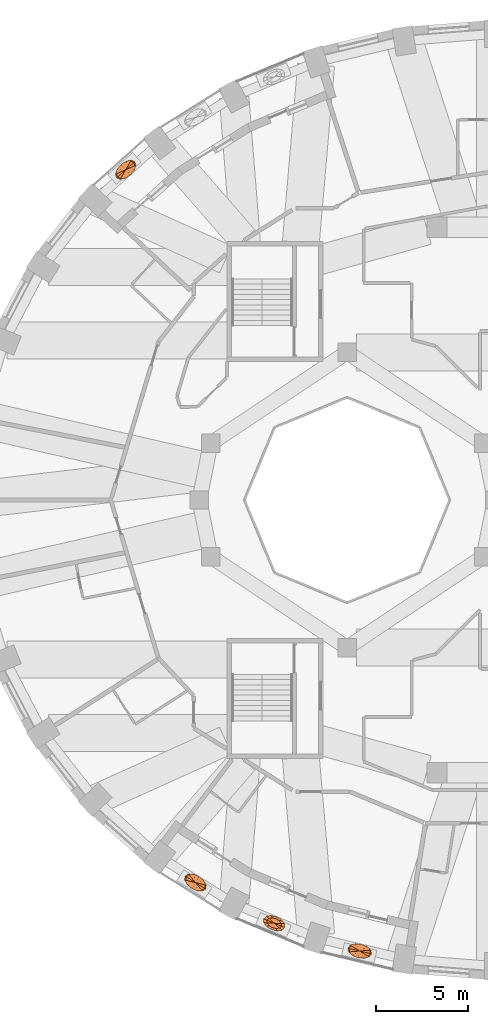
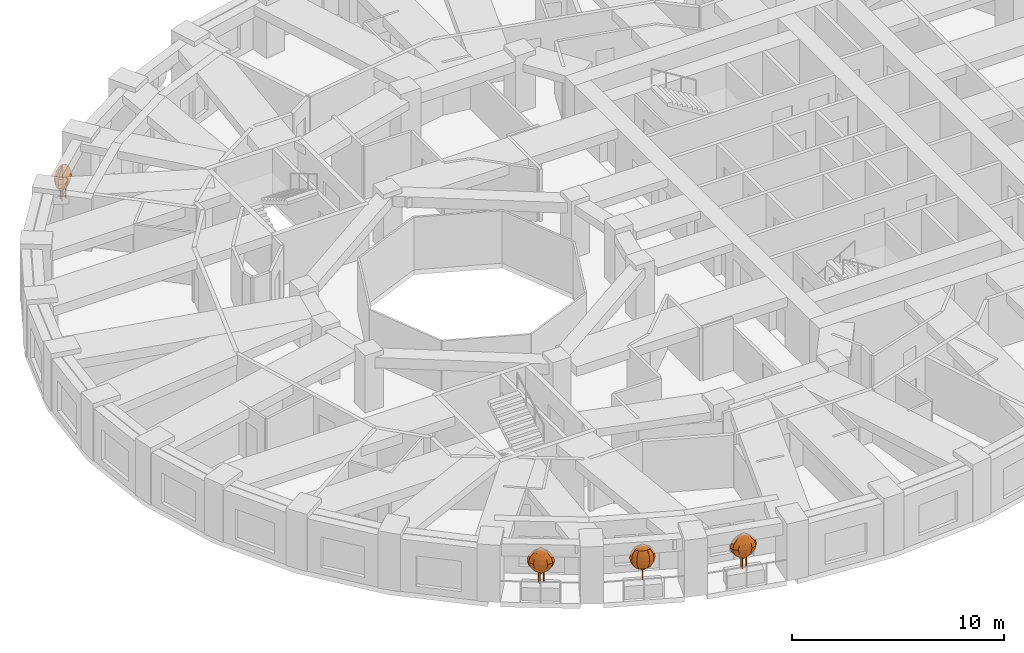
# One storey, part 12 of 13: 4 geographic elements.
"""IFC4 building model written with IfcOpenShell, lengths in metres."""

from ifc_helpers import new_model, si_unit, direction, frame, origin, place, context, subcontext, project, spatial, faceted_brep, material, constituent, constituent_set, type_object, element, save


model = new_model("IFC4")

# Units and contexts
model_context = context("Model", 3, precision=1e-05, world=origin(), true_north=direction((0.0, 1.0)))
body_context = subcontext(model_context, "Body", "Model", "MODEL_VIEW")
ifc_project = project(units=[si_unit("LENGTHUNIT", "METRE"), si_unit("AREAUNIT", "SQUARE_METRE"), si_unit("VOLUMEUNIT", "CUBIC_METRE"), si_unit("PLANEANGLEUNIT", "RADIAN"), si_unit("MASSUNIT", "GRAM", prefix="KILO")], contexts=[model_context])

# Site, building, storey
site_placement = place(None, origin())
site = spatial("IfcSite", under=ifc_project, at=site_placement, CompositionType="ELEMENT")
building_placement = place(site_placement, origin())
building = spatial("IfcBuilding", under=site, at=building_placement, Name="Taillehof Tower", CompositionType="ELEMENT")
storey_placement = place(building_placement, frame((0.0, 0.0, 48.10009765625)))
storey = spatial("IfcBuildingStorey", under=building, at=storey_placement, Name="L12", CompositionType="ELEMENT", Elevation=48.10009765625)

# Geographic elements
ifc_material_1 = material(Name="Tree bark", Category="timber")
ifc_constituent_1 = constituent(ifc_material_1, Name="Trunk", Category="timber")
ifc_material_2 = material(Name="Tree foliage")
ifc_constituent_2 = constituent(ifc_material_2, Name="Crown")
ifc_constituent_set_1 = constituent_set(constituents=[ifc_constituent_1, ifc_constituent_2], Name="Tree TR1 Columnar hornbeam")
geographic_element_type_1 = type_object("IfcGeographicElementType", Name="Tree TR1 Columnar hornbeam", PredefinedType="USERDEFINED", material=ifc_constituent_set_1)
geographic_element_1_placement = place(storey_placement, frame((-11.947509765625, -22.923583984375, 0.75)))
element("IfcGeographicElement", 1, at=geographic_element_1_placement, inside=storey, type_object=geographic_element_type_1, Name="Tree TR1 Columnar hornbeam", ObjectType="TREE", PredefinedType="USERDEFINED", context=body_context, shape_type="Brep", body=[
    faceted_brep([(0.030029296875, 0.0, 0.0), (0.021240234375, 0.021240234375, 0.0), (0.021240234375, 0.021240234375, 1.092529296875), (0.030029296875, 0.0, 1.092529296875), (0.0, 0.030029296875, 0.0), (0.0, 0.030029296875, 1.092529296875), (-0.021240234375, 0.021240234375, 0.0), (-0.021240234375, 0.021240234375, 1.092529296875), (-0.030029296875, 0.0, 0.0), (-0.030029296875, 0.0, 1.092529296875), (-0.021240234375, -0.021240234375, 0.0), (-0.021240234375, -0.021240234375, 1.092529296875), (0.0, -0.030029296875, 0.0), (0.0, -0.030029296875, 1.092529296875), (0.021240234375, -0.021240234375, 0.0), (0.021240234375, -0.021240234375, 1.092529296875)], [[[0, 1, 2, 3]], [[1, 4, 5, 2]], [[4, 6, 7, 5]], [[6, 8, 9, 7]], [[8, 10, 11, 9]], [[10, 12, 13, 11]], [[12, 14, 15, 13]], [[14, 0, 3, 15]], [[14, 12, 10, 8, 6, 4, 1, 0]], [[3, 2, 5, 7, 9, 11, 13, 15]]]),
    faceted_brep([(0.0, 0.0, 0.550048828125), (0.386962890625, -0.020751953125, 0.808349609375), (0.389404296875, -0.162353515625, 0.808349609375), (0.28125, 0.126220703125, 0.808349609375), (0.099853515625, 0.239501953125, 0.808349609375), (-0.108154296875, 0.28857421875, 0.808349609375), (-0.287109375, 0.26025390625, 0.808349609375), (-0.389404296875, 0.162353515625, 0.808349609375), (-0.386962890625, 0.020751953125, 0.808349609375), (-0.28125, -0.126220703125, 0.808349609375), (-0.099853515625, -0.239501953125, 0.808349609375), (0.108154296875, -0.28857421875, 0.808349609375), (0.287109375, -0.26025390625, 0.808349609375), (0.523681640625, -0.028076171875, 1.066650390625), (0.526611328125, -0.219482421875, 1.066650390625), (0.38037109375, 0.1708984375, 1.066650390625), (0.135009765625, 0.323974609375, 1.066650390625), (-0.146240234375, 0.390380859375, 1.066650390625), (-0.388427734375, 0.35205078125, 1.066650390625), (-0.526611328125, 0.219482421875, 1.066650390625), (-0.523681640625, 0.028076171875, 1.066650390625), (-0.38037109375, -0.1708984375, 1.066650390625), (-0.135009765625, -0.323974609375, 1.066650390625), (0.146240234375, -0.390380859375, 1.066650390625), (0.388427734375, -0.35205078125, 1.066650390625), (0.566650390625, -0.0302734375, 1.324951171875), (0.570068359375, -0.237548828125, 1.324951171875), (0.41162109375, 0.18505859375, 1.324951171875), (0.146240234375, 0.350830078125, 1.324951171875), (-0.158447265625, 0.422607421875, 1.324951171875), (-0.42041015625, 0.381103515625, 1.324951171875), (-0.570068359375, 0.237548828125, 1.324951171875), (-0.566650390625, 0.0302734375, 1.324951171875), (-0.41162109375, -0.18505859375, 1.324951171875), (-0.146240234375, -0.350830078125, 1.324951171875), (0.158447265625, -0.422607421875, 1.324951171875), (0.42041015625, -0.381103515625, 1.324951171875), (0.523681640625, -0.028076171875, 1.583251953125), (0.526611328125, -0.219482421875, 1.583251953125), (0.38037109375, 0.1708984375, 1.583251953125), (0.135009765625, 0.323974609375, 1.583251953125), (-0.146240234375, 0.390380859375, 1.583251953125), (-0.388427734375, 0.35205078125, 1.583251953125), (-0.526611328125, 0.219482421875, 1.583251953125), (-0.523681640625, 0.028076171875, 1.583251953125), (-0.38037109375, -0.1708984375, 1.583251953125), (-0.135009765625, -0.323974609375, 1.583251953125), (0.146240234375, -0.390380859375, 1.583251953125), (0.388427734375, -0.35205078125, 1.583251953125), (0.386962890625, -0.020751953125, 1.841552734375), (0.389404296875, -0.162353515625, 1.841552734375), (0.28125, 0.126220703125, 1.841552734375), (0.099853515625, 0.239501953125, 1.841552734375), (-0.108154296875, 0.28857421875, 1.841552734375), (-0.287109375, 0.26025390625, 1.841552734375), (-0.389404296875, 0.162353515625, 1.841552734375), (-0.386962890625, 0.020751953125, 1.841552734375), (-0.28125, -0.126220703125, 1.841552734375), (-0.099853515625, -0.239501953125, 1.841552734375), (0.108154296875, -0.28857421875, 1.841552734375), (0.287109375, -0.26025390625, 1.841552734375), (0.0, 0.0, 2.10009765625)], [[[0, 1, 2]], [[0, 3, 1]], [[0, 4, 3]], [[0, 5, 4]], [[0, 6, 5]], [[0, 7, 6]], [[0, 8, 7]], [[0, 9, 8]], [[0, 10, 9]], [[0, 11, 10]], [[0, 12, 11]], [[0, 2, 12]], [[2, 1, 13, 14]], [[1, 3, 15, 13]], [[3, 4, 16, 15]], [[4, 5, 17, 16]], [[5, 6, 18, 17]], [[6, 7, 19, 18]], [[7, 8, 20, 19]], [[8, 9, 21, 20]], [[9, 10, 22, 21]], [[10, 11, 23, 22]], [[11, 12, 24, 23]], [[12, 2, 14, 24]], [[14, 13, 25, 26]], [[13, 15, 27, 25]], [[15, 16, 28, 27]], [[16, 17, 29, 28]], [[17, 18, 30, 29]], [[18, 19, 31, 30]], [[19, 20, 32, 31]], [[20, 21, 33, 32]], [[21, 22, 34, 33]], [[22, 23, 35, 34]], [[23, 24, 36, 35]], [[24, 14, 26, 36]], [[26, 25, 37, 38]], [[25, 27, 39, 37]], [[27, 28, 40, 39]], [[28, 29, 41, 40]], [[29, 30, 42, 41]], [[30, 31, 43, 42]], [[31, 32, 44, 43]], [[32, 33, 45, 44]], [[33, 34, 46, 45]], [[34, 35, 47, 46]], [[35, 36, 48, 47]], [[36, 26, 38, 48]], [[38, 37, 49, 50]], [[37, 39, 51, 49]], [[39, 40, 52, 51]], [[40, 41, 53, 52]], [[41, 42, 54, 53]], [[42, 43, 55, 54]], [[43, 44, 56, 55]], [[44, 45, 57, 56]], [[45, 46, 58, 57]], [[46, 47, 59, 58]], [[47, 48, 60, 59]], [[48, 38, 50, 60]], [[50, 49, 61]], [[49, 51, 61]], [[51, 52, 61]], [[52, 53, 61]], [[53, 54, 61]], [[54, 55, 61]], [[55, 56, 61]], [[56, 57, 61]], [[57, 58, 61]], [[58, 59, 61]], [[59, 60, 61]], [[60, 50, 61]]]),
])
ifc_material_3 = material(Name="Tree bark", Category="timber")
ifc_constituent_3 = constituent(ifc_material_3, Name="Trunk", Category="timber")
ifc_material_4 = material(Name="Tree foliage")
ifc_constituent_4 = constituent(ifc_material_4, Name="Crown")
ifc_constituent_set_2 = constituent_set(constituents=[ifc_constituent_3, ifc_constituent_4], Name="Tree TR3 Multi-stem serviceberry")
geographic_element_type_2 = type_object("IfcGeographicElementType", Name="Tree TR3 Multi-stem serviceberry", PredefinedType="USERDEFINED", material=ifc_constituent_set_2)
geographic_element_2_placement = place(storey_placement, frame((-16.2158203125, -20.720703125, 0.75)))
element("IfcGeographicElement", 2, at=geographic_element_2_placement, inside=storey, type_object=geographic_element_type_2, Name="Tree TR3 Multi-stem serviceberry", ObjectType="TREE", PredefinedType="USERDEFINED", context=body_context, shape_type="Brep", body=[
    faceted_brep([(0.195068359375, 0.0, 0.0), (0.186767578125, 0.0205078125, 0.0), (0.186767578125, 0.0205078125, 1.04248046875), (0.195068359375, 0.0, 1.04248046875), (0.166259765625, 0.02880859375, 0.0), (0.166259765625, 0.02880859375, 1.04248046875), (0.145751953125, 0.0205078125, 0.0), (0.145751953125, 0.0205078125, 1.04248046875), (0.137451171875, 0.0, 0.0), (0.137451171875, 0.0, 1.04248046875), (0.145751953125, -0.0205078125, 0.0), (0.145751953125, -0.0205078125, 1.04248046875), (0.166259765625, -0.02880859375, 0.0), (0.166259765625, -0.02880859375, 1.04248046875), (0.186767578125, -0.0205078125, 0.0), (0.186767578125, -0.0205078125, 1.04248046875)], [[[0, 1, 2, 3]], [[1, 4, 5, 2]], [[4, 6, 7, 5]], [[6, 8, 9, 7]], [[8, 10, 11, 9]], [[10, 12, 13, 11]], [[12, 14, 15, 13]], [[14, 0, 3, 15]], [[14, 12, 10, 8, 6, 4, 1, 0]], [[3, 2, 5, 7, 9, 11, 13, 15]]]),
    faceted_brep([(-0.05419921875, 0.082275390625, 0.0), (-0.062744140625, 0.102783203125, 0.0), (-0.062744140625, 0.102783203125, 1.04248046875), (-0.05419921875, 0.082275390625, 1.04248046875), (-0.0830078125, 0.111083984375, 0.0), (-0.0830078125, 0.111083984375, 1.04248046875), (-0.103515625, 0.102783203125, 0.0), (-0.103515625, 0.102783203125, 1.04248046875), (-0.112060546875, 0.082275390625, 0.0), (-0.112060546875, 0.082275390625, 1.04248046875), (-0.103515625, 0.061767578125, 0.0), (-0.103515625, 0.061767578125, 1.04248046875), (-0.0830078125, 0.053466796875, 0.0), (-0.0830078125, 0.053466796875, 1.04248046875), (-0.062744140625, 0.061767578125, 0.0), (-0.062744140625, 0.061767578125, 1.04248046875)], [[[0, 1, 2, 3]], [[1, 4, 5, 2]], [[4, 6, 7, 5]], [[6, 8, 9, 7]], [[8, 10, 11, 9]], [[10, 12, 13, 11]], [[12, 14, 15, 13]], [[14, 0, 3, 15]], [[14, 12, 10, 8, 6, 4, 1, 0]], [[3, 2, 5, 7, 9, 11, 13, 15]]]),
    faceted_brep([(-0.05419921875, -0.082275390625, 0.0), (-0.062744140625, -0.061767578125, 0.0), (-0.062744140625, -0.061767578125, 1.04248046875), (-0.05419921875, -0.082275390625, 1.04248046875), (-0.0830078125, -0.053466796875, 0.0), (-0.0830078125, -0.053466796875, 1.04248046875), (-0.103515625, -0.061767578125, 0.0), (-0.103515625, -0.061767578125, 1.04248046875), (-0.112060546875, -0.082275390625, 0.0), (-0.112060546875, -0.082275390625, 1.04248046875), (-0.103515625, -0.102783203125, 0.0), (-0.103515625, -0.102783203125, 1.04248046875), (-0.0830078125, -0.111083984375, 0.0), (-0.0830078125, -0.111083984375, 1.04248046875), (-0.062744140625, -0.102783203125, 0.0), (-0.062744140625, -0.102783203125, 1.04248046875)], [[[0, 1, 2, 3]], [[1, 4, 5, 2]], [[4, 6, 7, 5]], [[6, 8, 9, 7]], [[8, 10, 11, 9]], [[10, 12, 13, 11]], [[12, 14, 15, 13]], [[14, 0, 3, 15]], [[14, 12, 10, 8, 6, 4, 1, 0]], [[3, 2, 5, 7, 9, 11, 13, 15]]]),
    faceted_brep([(0.0, 0.0, 0.5), (0.33837890625, -0.0830078125, 0.75830078125), (0.32373046875, -0.20263671875, 0.75830078125), (0.26220703125, 0.058837890625, 0.75830078125), (0.11572265625, 0.18505859375, 0.75830078125), (-0.0615234375, 0.261474609375, 0.75830078125), (-0.222412109375, 0.26806640625, 0.75830078125), (-0.32373046875, 0.20263671875, 0.75830078125), (-0.33837890625, 0.0830078125, 0.75830078125), (-0.26220703125, -0.058837890625, 0.75830078125), (-0.11572265625, -0.18505859375, 0.75830078125), (0.0615234375, -0.261474609375, 0.75830078125), (0.222412109375, -0.26806640625, 0.75830078125), (0.52490234375, -0.12890625, 1.0166015625), (0.50244140625, -0.314453125, 1.0166015625), (0.40673828125, 0.09130859375, 1.0166015625), (0.1796875, 0.287109375, 1.0166015625), (-0.095703125, 0.40576171875, 1.0166015625), (-0.34521484375, 0.415771484375, 1.0166015625), (-0.50244140625, 0.314453125, 1.0166015625), (-0.52490234375, 0.12890625, 1.0166015625), (-0.40673828125, -0.09130859375, 1.0166015625), (-0.1796875, -0.287109375, 1.0166015625), (0.095703125, -0.40576171875, 1.0166015625), (0.34521484375, -0.415771484375, 1.0166015625), (0.5888671875, -0.14453125, 1.27490234375), (0.563720703125, -0.352783203125, 1.27490234375), (0.45654296875, 0.1025390625, 1.27490234375), (0.20166015625, 0.322021484375, 1.27490234375), (-0.107177734375, 0.455322265625, 1.27490234375), (-0.387451171875, 0.466552734375, 1.27490234375), (-0.563720703125, 0.352783203125, 1.27490234375), (-0.5888671875, 0.14453125, 1.27490234375), (-0.45654296875, -0.1025390625, 1.27490234375), (-0.20166015625, -0.322021484375, 1.27490234375), (0.107177734375, -0.455322265625, 1.27490234375), (0.387451171875, -0.466552734375, 1.27490234375), (0.52490234375, -0.12890625, 1.533447265625), (0.50244140625, -0.314453125, 1.533447265625), (0.40673828125, 0.09130859375, 1.533447265625), (0.1796875, 0.287109375, 1.533447265625), (-0.095703125, 0.40576171875, 1.533447265625), (-0.34521484375, 0.415771484375, 1.533447265625), (-0.50244140625, 0.314453125, 1.533447265625), (-0.52490234375, 0.12890625, 1.533447265625), (-0.40673828125, -0.09130859375, 1.533447265625), (-0.1796875, -0.287109375, 1.533447265625), (0.095703125, -0.40576171875, 1.533447265625), (0.34521484375, -0.415771484375, 1.533447265625), (0.33837890625, -0.0830078125, 1.791748046875), (0.32373046875, -0.20263671875, 1.791748046875), (0.26220703125, 0.058837890625, 1.791748046875), (0.11572265625, 0.18505859375, 1.791748046875), (-0.0615234375, 0.261474609375, 1.791748046875), (-0.222412109375, 0.26806640625, 1.791748046875), (-0.32373046875, 0.20263671875, 1.791748046875), (-0.33837890625, 0.0830078125, 1.791748046875), (-0.26220703125, -0.058837890625, 1.791748046875), (-0.11572265625, -0.18505859375, 1.791748046875), (0.0615234375, -0.261474609375, 1.791748046875), (0.222412109375, -0.26806640625, 1.791748046875), (0.0, 0.0, 2.050048828125)], [[[0, 1, 2]], [[0, 3, 1]], [[0, 4, 3]], [[0, 5, 4]], [[0, 6, 5]], [[0, 7, 6]], [[0, 8, 7]], [[0, 9, 8]], [[0, 10, 9]], [[0, 11, 10]], [[0, 12, 11]], [[0, 2, 12]], [[2, 1, 13, 14]], [[1, 3, 15, 13]], [[3, 4, 16, 15]], [[4, 5, 17, 16]], [[5, 6, 18, 17]], [[6, 7, 19, 18]], [[7, 8, 20, 19]], [[8, 9, 21, 20]], [[9, 10, 22, 21]], [[10, 11, 23, 22]], [[11, 12, 24, 23]], [[12, 2, 14, 24]], [[14, 13, 25, 26]], [[13, 15, 27, 25]], [[15, 16, 28, 27]], [[16, 17, 29, 28]], [[17, 18, 30, 29]], [[18, 19, 31, 30]], [[19, 20, 32, 31]], [[20, 21, 33, 32]], [[21, 22, 34, 33]], [[22, 23, 35, 34]], [[23, 24, 36, 35]], [[24, 14, 26, 36]], [[26, 25, 37, 38]], [[25, 27, 39, 37]], [[27, 28, 40, 39]], [[28, 29, 41, 40]], [[29, 30, 42, 41]], [[30, 31, 43, 42]], [[31, 32, 44, 43]], [[32, 33, 45, 44]], [[33, 34, 46, 45]], [[34, 35, 47, 46]], [[35, 36, 48, 47]], [[36, 26, 38, 48]], [[38, 37, 49, 50]], [[37, 39, 51, 49]], [[39, 40, 52, 51]], [[40, 41, 53, 52]], [[41, 42, 54, 53]], [[42, 43, 55, 54]], [[43, 44, 56, 55]], [[44, 45, 57, 56]], [[45, 46, 58, 57]], [[46, 47, 59, 58]], [[47, 48, 60, 59]], [[48, 38, 50, 60]], [[50, 49, 61]], [[49, 51, 61]], [[51, 52, 61]], [[52, 53, 61]], [[53, 54, 61]], [[54, 55, 61]], [[55, 56, 61]], [[56, 57, 61]], [[57, 58, 61]], [[58, 59, 61]], [[59, 60, 61]], [[60, 50, 61]]]),
])
geographic_element_3_placement = place(storey_placement, frame((-7.31640625, -24.430419921875, 0.75)))
element("IfcGeographicElement", 3, at=geographic_element_3_placement, inside=storey, type_object=geographic_element_type_2, Name="Tree TR3 Multi-stem serviceberry", ObjectType="TREE", PredefinedType="USERDEFINED", context=body_context, shape_type="Brep", body=[
    faceted_brep([(0.195068359375, 0.0, 0.0), (0.186767578125, 0.0205078125, 0.0), (0.186767578125, 0.0205078125, 1.04248046875), (0.195068359375, 0.0, 1.04248046875), (0.166259765625, 0.02880859375, 0.0), (0.166259765625, 0.02880859375, 1.04248046875), (0.145751953125, 0.0205078125, 0.0), (0.145751953125, 0.0205078125, 1.04248046875), (0.137451171875, 0.0, 0.0), (0.137451171875, 0.0, 1.04248046875), (0.145751953125, -0.0205078125, 0.0), (0.145751953125, -0.0205078125, 1.04248046875), (0.166259765625, -0.02880859375, 0.0), (0.166259765625, -0.02880859375, 1.04248046875), (0.186767578125, -0.0205078125, 0.0), (0.186767578125, -0.0205078125, 1.04248046875)], [[[0, 1, 2, 3]], [[1, 4, 5, 2]], [[4, 6, 7, 5]], [[6, 8, 9, 7]], [[8, 10, 11, 9]], [[10, 12, 13, 11]], [[12, 14, 15, 13]], [[14, 0, 3, 15]], [[14, 12, 10, 8, 6, 4, 1, 0]], [[3, 2, 5, 7, 9, 11, 13, 15]]]),
    faceted_brep([(-0.05419921875, 0.082275390625, 0.0), (-0.062744140625, 0.102783203125, 0.0), (-0.062744140625, 0.102783203125, 1.04248046875), (-0.05419921875, 0.082275390625, 1.04248046875), (-0.0830078125, 0.111083984375, 0.0), (-0.0830078125, 0.111083984375, 1.04248046875), (-0.103515625, 0.102783203125, 0.0), (-0.103515625, 0.102783203125, 1.04248046875), (-0.112060546875, 0.082275390625, 0.0), (-0.112060546875, 0.082275390625, 1.04248046875), (-0.103515625, 0.061767578125, 0.0), (-0.103515625, 0.061767578125, 1.04248046875), (-0.0830078125, 0.053466796875, 0.0), (-0.0830078125, 0.053466796875, 1.04248046875), (-0.062744140625, 0.061767578125, 0.0), (-0.062744140625, 0.061767578125, 1.04248046875)], [[[0, 1, 2, 3]], [[1, 4, 5, 2]], [[4, 6, 7, 5]], [[6, 8, 9, 7]], [[8, 10, 11, 9]], [[10, 12, 13, 11]], [[12, 14, 15, 13]], [[14, 0, 3, 15]], [[14, 12, 10, 8, 6, 4, 1, 0]], [[3, 2, 5, 7, 9, 11, 13, 15]]]),
    faceted_brep([(-0.05419921875, -0.082275390625, 0.0), (-0.062744140625, -0.061767578125, 0.0), (-0.062744140625, -0.061767578125, 1.04248046875), (-0.05419921875, -0.082275390625, 1.04248046875), (-0.0830078125, -0.053466796875, 0.0), (-0.0830078125, -0.053466796875, 1.04248046875), (-0.103515625, -0.061767578125, 0.0), (-0.103515625, -0.061767578125, 1.04248046875), (-0.112060546875, -0.082275390625, 0.0), (-0.112060546875, -0.082275390625, 1.04248046875), (-0.103515625, -0.102783203125, 0.0), (-0.103515625, -0.102783203125, 1.04248046875), (-0.0830078125, -0.111083984375, 0.0), (-0.0830078125, -0.111083984375, 1.04248046875), (-0.062744140625, -0.102783203125, 0.0), (-0.062744140625, -0.102783203125, 1.04248046875)], [[[0, 1, 2, 3]], [[1, 4, 5, 2]], [[4, 6, 7, 5]], [[6, 8, 9, 7]], [[8, 10, 11, 9]], [[10, 12, 13, 11]], [[12, 14, 15, 13]], [[14, 0, 3, 15]], [[14, 12, 10, 8, 6, 4, 1, 0]], [[3, 2, 5, 7, 9, 11, 13, 15]]]),
    faceted_brep([(0.0, 0.0, 0.5), (0.34716796875, 0.029052734375, 0.75830078125), (0.371337890625, -0.0888671875, 0.75830078125), (0.229736328125, 0.139404296875, 0.75830078125), (0.05078125, 0.212158203125, 0.75830078125), (-0.1416015625, 0.228271484375, 0.75830078125), (-0.296142578125, 0.18310546875, 0.75830078125), (-0.371337890625, 0.0888671875, 0.75830078125), (-0.34716796875, -0.029052734375, 0.75830078125), (-0.229736328125, -0.139404296875, 0.75830078125), (-0.05078125, -0.212158203125, 0.75830078125), (0.1416015625, -0.228271484375, 0.75830078125), (0.296142578125, -0.18310546875, 0.75830078125), (0.53857421875, 0.045166015625, 1.0166015625), (0.576416015625, -0.13818359375, 1.0166015625), (0.3564453125, 0.21630859375, 1.0166015625), (0.078857421875, 0.329345703125, 1.0166015625), (-0.219970703125, 0.354248046875, 1.0166015625), (-0.459716796875, 0.2841796875, 1.0166015625), (-0.576416015625, 0.13818359375, 1.0166015625), (-0.53857421875, -0.045166015625, 1.0166015625), (-0.3564453125, -0.21630859375, 1.0166015625), (-0.078857421875, -0.329345703125, 1.0166015625), (0.219970703125, -0.354248046875, 1.0166015625), (0.459716796875, -0.2841796875, 1.0166015625), (0.604248046875, 0.050537109375, 1.27490234375), (0.646728515625, -0.15478515625, 1.27490234375), (0.39990234375, 0.24267578125, 1.27490234375), (0.088623046875, 0.36962890625, 1.27490234375), (-0.24658203125, 0.3974609375, 1.27490234375), (-0.515869140625, 0.31884765625, 1.27490234375), (-0.646728515625, 0.15478515625, 1.27490234375), (-0.604248046875, -0.050537109375, 1.27490234375), (-0.39990234375, -0.24267578125, 1.27490234375), (-0.088623046875, -0.36962890625, 1.27490234375), (0.24658203125, -0.3974609375, 1.27490234375), (0.515869140625, -0.31884765625, 1.27490234375), (0.53857421875, 0.045166015625, 1.533447265625), (0.576416015625, -0.13818359375, 1.533447265625), (0.3564453125, 0.21630859375, 1.533447265625), (0.078857421875, 0.329345703125, 1.533447265625), (-0.219970703125, 0.354248046875, 1.533447265625), (-0.459716796875, 0.2841796875, 1.533447265625), (-0.576416015625, 0.13818359375, 1.533447265625), (-0.53857421875, -0.045166015625, 1.533447265625), (-0.3564453125, -0.21630859375, 1.533447265625), (-0.078857421875, -0.329345703125, 1.533447265625), (0.219970703125, -0.354248046875, 1.533447265625), (0.459716796875, -0.2841796875, 1.533447265625), (0.34716796875, 0.029052734375, 1.791748046875), (0.371337890625, -0.0888671875, 1.791748046875), (0.229736328125, 0.139404296875, 1.791748046875), (0.05078125, 0.212158203125, 1.791748046875), (-0.1416015625, 0.228271484375, 1.791748046875), (-0.296142578125, 0.18310546875, 1.791748046875), (-0.371337890625, 0.0888671875, 1.791748046875), (-0.34716796875, -0.029052734375, 1.791748046875), (-0.229736328125, -0.139404296875, 1.791748046875), (-0.05078125, -0.212158203125, 1.791748046875), (0.1416015625, -0.228271484375, 1.791748046875), (0.296142578125, -0.18310546875, 1.791748046875), (0.0, 0.0, 2.050048828125)], [[[0, 1, 2]], [[0, 3, 1]], [[0, 4, 3]], [[0, 5, 4]], [[0, 6, 5]], [[0, 7, 6]], [[0, 8, 7]], [[0, 9, 8]], [[0, 10, 9]], [[0, 11, 10]], [[0, 12, 11]], [[0, 2, 12]], [[2, 1, 13, 14]], [[1, 3, 15, 13]], [[3, 4, 16, 15]], [[4, 5, 17, 16]], [[5, 6, 18, 17]], [[6, 7, 19, 18]], [[7, 8, 20, 19]], [[8, 9, 21, 20]], [[9, 10, 22, 21]], [[10, 11, 23, 22]], [[11, 12, 24, 23]], [[12, 2, 14, 24]], [[14, 13, 25, 26]], [[13, 15, 27, 25]], [[15, 16, 28, 27]], [[16, 17, 29, 28]], [[17, 18, 30, 29]], [[18, 19, 31, 30]], [[19, 20, 32, 31]], [[20, 21, 33, 32]], [[21, 22, 34, 33]], [[22, 23, 35, 34]], [[23, 24, 36, 35]], [[24, 14, 26, 36]], [[26, 25, 37, 38]], [[25, 27, 39, 37]], [[27, 28, 40, 39]], [[28, 29, 41, 40]], [[29, 30, 42, 41]], [[30, 31, 43, 42]], [[31, 32, 44, 43]], [[32, 33, 45, 44]], [[33, 34, 46, 45]], [[34, 35, 47, 46]], [[35, 36, 48, 47]], [[36, 26, 38, 48]], [[38, 37, 49, 50]], [[37, 39, 51, 49]], [[39, 40, 52, 51]], [[40, 41, 53, 52]], [[41, 42, 54, 53]], [[42, 43, 55, 54]], [[43, 44, 56, 55]], [[44, 45, 57, 56]], [[45, 46, 58, 57]], [[46, 47, 59, 58]], [[47, 48, 60, 59]], [[48, 38, 50, 60]], [[50, 49, 61]], [[49, 51, 61]], [[51, 52, 61]], [[52, 53, 61]], [[53, 54, 61]], [[54, 55, 61]], [[55, 56, 61]], [[56, 57, 61]], [[57, 58, 61]], [[58, 59, 61]], [[59, 60, 61]], [[60, 50, 61]]]),
])
geographic_element_4_placement = place(storey_placement, frame((-19.9921875, 17.8876953125, 0.75)))
element("IfcGeographicElement", 4, at=geographic_element_4_placement, inside=storey, type_object=geographic_element_type_2, Name="Tree TR3 Multi-stem serviceberry", ObjectType="TREE", PredefinedType="USERDEFINED", context=body_context, shape_type="Brep", body=[
    faceted_brep([(0.195068359375, 0.0, 0.0), (0.186767578125, 0.0205078125, 0.0), (0.186767578125, 0.0205078125, 1.04248046875), (0.195068359375, 0.0, 1.04248046875), (0.166259765625, 0.02880859375, 0.0), (0.166259765625, 0.02880859375, 1.04248046875), (0.145751953125, 0.0205078125, 0.0), (0.145751953125, 0.0205078125, 1.04248046875), (0.137451171875, 0.0, 0.0), (0.137451171875, 0.0, 1.04248046875), (0.145751953125, -0.0205078125, 0.0), (0.145751953125, -0.0205078125, 1.04248046875), (0.166259765625, -0.02880859375, 0.0), (0.166259765625, -0.02880859375, 1.04248046875), (0.186767578125, -0.0205078125, 0.0), (0.186767578125, -0.0205078125, 1.04248046875)], [[[0, 1, 2, 3]], [[1, 4, 5, 2]], [[4, 6, 7, 5]], [[6, 8, 9, 7]], [[8, 10, 11, 9]], [[10, 12, 13, 11]], [[12, 14, 15, 13]], [[14, 0, 3, 15]], [[14, 12, 10, 8, 6, 4, 1, 0]], [[3, 2, 5, 7, 9, 11, 13, 15]]]),
    faceted_brep([(-0.05419921875, 0.082275390625, 0.0), (-0.062744140625, 0.102783203125, 0.0), (-0.062744140625, 0.102783203125, 1.04248046875), (-0.05419921875, 0.082275390625, 1.04248046875), (-0.0830078125, 0.111083984375, 0.0), (-0.0830078125, 0.111083984375, 1.04248046875), (-0.103515625, 0.102783203125, 0.0), (-0.103515625, 0.102783203125, 1.04248046875), (-0.112060546875, 0.082275390625, 0.0), (-0.112060546875, 0.082275390625, 1.04248046875), (-0.103515625, 0.061767578125, 0.0), (-0.103515625, 0.061767578125, 1.04248046875), (-0.0830078125, 0.053466796875, 0.0), (-0.0830078125, 0.053466796875, 1.04248046875), (-0.062744140625, 0.061767578125, 0.0), (-0.062744140625, 0.061767578125, 1.04248046875)], [[[0, 1, 2, 3]], [[1, 4, 5, 2]], [[4, 6, 7, 5]], [[6, 8, 9, 7]], [[8, 10, 11, 9]], [[10, 12, 13, 11]], [[12, 14, 15, 13]], [[14, 0, 3, 15]], [[14, 12, 10, 8, 6, 4, 1, 0]], [[3, 2, 5, 7, 9, 11, 13, 15]]]),
    faceted_brep([(-0.05419921875, -0.082275390625, 0.0), (-0.062744140625, -0.061767578125, 0.0), (-0.062744140625, -0.061767578125, 1.04248046875), (-0.05419921875, -0.082275390625, 1.04248046875), (-0.0830078125, -0.053466796875, 0.0), (-0.0830078125, -0.053466796875, 1.04248046875), (-0.103515625, -0.061767578125, 0.0), (-0.103515625, -0.061767578125, 1.04248046875), (-0.112060546875, -0.082275390625, 0.0), (-0.112060546875, -0.082275390625, 1.04248046875), (-0.103515625, -0.102783203125, 0.0), (-0.103515625, -0.102783203125, 1.04248046875), (-0.0830078125, -0.111083984375, 0.0), (-0.0830078125, -0.111083984375, 1.04248046875), (-0.062744140625, -0.102783203125, 0.0), (-0.062744140625, -0.102783203125, 1.04248046875)], [[[0, 1, 2, 3]], [[1, 4, 5, 2]], [[4, 6, 7, 5]], [[6, 8, 9, 7]], [[8, 10, 11, 9]], [[10, 12, 13, 11]], [[12, 14, 15, 13]], [[14, 0, 3, 15]], [[14, 12, 10, 8, 6, 4, 1, 0]], [[3, 2, 5, 7, 9, 11, 13, 15]]]),
    faceted_brep([(0.0, 0.0, 0.5), (-0.173828125, -0.3017578125, 0.75830078125), (-0.28466796875, -0.254638671875, 0.75830078125), (-0.016357421875, -0.268310546875, 0.75830078125), (0.1455078125, -0.16259765625, 0.75830078125), (0.268310546875, -0.013671875, 0.75830078125), (0.3193359375, 0.13916015625, 0.75830078125), (0.28466796875, 0.254638671875, 0.75830078125), (0.173828125, 0.3017578125, 0.75830078125), (0.016357421875, 0.268310546875, 0.75830078125), (-0.1455078125, 0.16259765625, 0.75830078125), (-0.268310546875, 0.013671875, 0.75830078125), (-0.3193359375, -0.13916015625, 0.75830078125), (-0.269775390625, -0.46826171875, 1.0166015625), (-0.44189453125, -0.39501953125, 1.0166015625), (-0.025390625, -0.416259765625, 1.0166015625), (0.225830078125, -0.25244140625, 1.0166015625), (0.41650390625, -0.021240234375, 1.0166015625), (0.49560546875, 0.2158203125, 1.0166015625), (0.44189453125, 0.39501953125, 1.0166015625), (0.269775390625, 0.46826171875, 1.0166015625), (0.025390625, 0.416259765625, 1.0166015625), (-0.225830078125, 0.25244140625, 1.0166015625), (-0.41650390625, 0.021240234375, 1.0166015625), (-0.49560546875, -0.2158203125, 1.0166015625), (-0.302734375, -0.525390625, 1.27490234375), (-0.495849609375, -0.443115234375, 1.27490234375), (-0.028564453125, -0.467041015625, 1.27490234375), (0.253173828125, -0.283203125, 1.27490234375), (0.46728515625, -0.023681640625, 1.27490234375), (0.555908203125, 0.2421875, 1.27490234375), (0.495849609375, 0.443115234375, 1.27490234375), (0.302734375, 0.525390625, 1.27490234375), (0.028564453125, 0.467041015625, 1.27490234375), (-0.253173828125, 0.283203125, 1.27490234375), (-0.46728515625, 0.023681640625, 1.27490234375), (-0.555908203125, -0.2421875, 1.27490234375), (-0.269775390625, -0.46826171875, 1.533447265625), (-0.44189453125, -0.39501953125, 1.533447265625), (-0.025390625, -0.416259765625, 1.533447265625), (0.225830078125, -0.25244140625, 1.533447265625), (0.41650390625, -0.021240234375, 1.533447265625), (0.49560546875, 0.2158203125, 1.533447265625), (0.44189453125, 0.39501953125, 1.533447265625), (0.269775390625, 0.46826171875, 1.533447265625), (0.025390625, 0.416259765625, 1.533447265625), (-0.225830078125, 0.25244140625, 1.533447265625), (-0.41650390625, 0.021240234375, 1.533447265625), (-0.49560546875, -0.2158203125, 1.533447265625), (-0.173828125, -0.3017578125, 1.791748046875), (-0.28466796875, -0.254638671875, 1.791748046875), (-0.016357421875, -0.268310546875, 1.791748046875), (0.1455078125, -0.16259765625, 1.791748046875), (0.268310546875, -0.013671875, 1.791748046875), (0.3193359375, 0.13916015625, 1.791748046875), (0.28466796875, 0.254638671875, 1.791748046875), (0.173828125, 0.3017578125, 1.791748046875), (0.016357421875, 0.268310546875, 1.791748046875), (-0.1455078125, 0.16259765625, 1.791748046875), (-0.268310546875, 0.013671875, 1.791748046875), (-0.3193359375, -0.13916015625, 1.791748046875), (0.0, 0.0, 2.050048828125)], [[[0, 1, 2]], [[0, 3, 1]], [[0, 4, 3]], [[0, 5, 4]], [[0, 6, 5]], [[0, 7, 6]], [[0, 8, 7]], [[0, 9, 8]], [[0, 10, 9]], [[0, 11, 10]], [[0, 12, 11]], [[0, 2, 12]], [[2, 1, 13, 14]], [[1, 3, 15, 13]], [[3, 4, 16, 15]], [[4, 5, 17, 16]], [[5, 6, 18, 17]], [[6, 7, 19, 18]], [[7, 8, 20, 19]], [[8, 9, 21, 20]], [[9, 10, 22, 21]], [[10, 11, 23, 22]], [[11, 12, 24, 23]], [[12, 2, 14, 24]], [[14, 13, 25, 26]], [[13, 15, 27, 25]], [[15, 16, 28, 27]], [[16, 17, 29, 28]], [[17, 18, 30, 29]], [[18, 19, 31, 30]], [[19, 20, 32, 31]], [[20, 21, 33, 32]], [[21, 22, 34, 33]], [[22, 23, 35, 34]], [[23, 24, 36, 35]], [[24, 14, 26, 36]], [[26, 25, 37, 38]], [[25, 27, 39, 37]], [[27, 28, 40, 39]], [[28, 29, 41, 40]], [[29, 30, 42, 41]], [[30, 31, 43, 42]], [[31, 32, 44, 43]], [[32, 33, 45, 44]], [[33, 34, 46, 45]], [[34, 35, 47, 46]], [[35, 36, 48, 47]], [[36, 26, 38, 48]], [[38, 37, 49, 50]], [[37, 39, 51, 49]], [[39, 40, 52, 51]], [[40, 41, 53, 52]], [[41, 42, 54, 53]], [[42, 43, 55, 54]], [[43, 44, 56, 55]], [[44, 45, 57, 56]], [[45, 46, 58, 57]], [[46, 47, 59, 58]], [[47, 48, 60, 59]], [[48, 38, 50, 60]], [[50, 49, 61]], [[49, 51, 61]], [[51, 52, 61]], [[52, 53, 61]], [[53, 54, 61]], [[54, 55, 61]], [[55, 56, 61]], [[56, 57, 61]], [[57, 58, 61]], [[58, 59, 61]], [[59, 60, 61]], [[60, 50, 61]]]),
])

save(model, "model.ifc")
